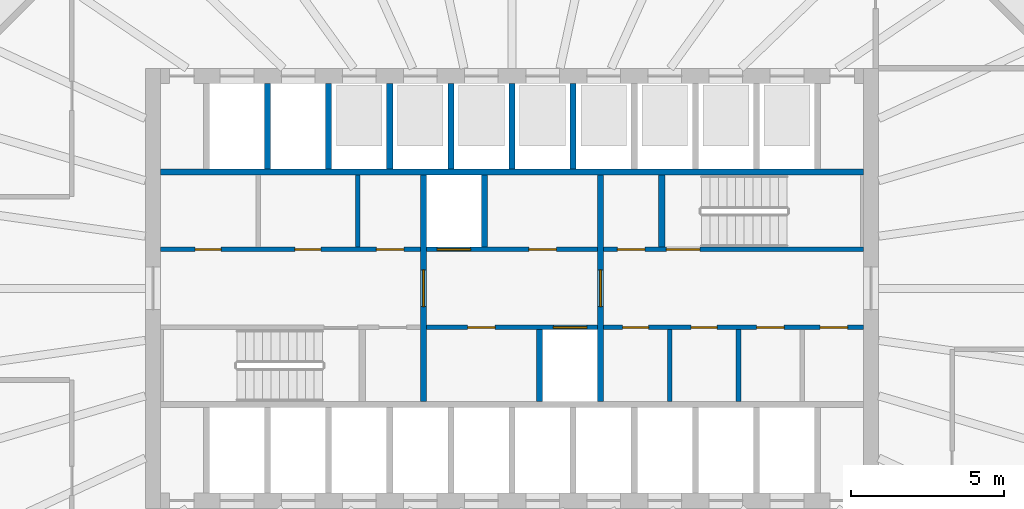
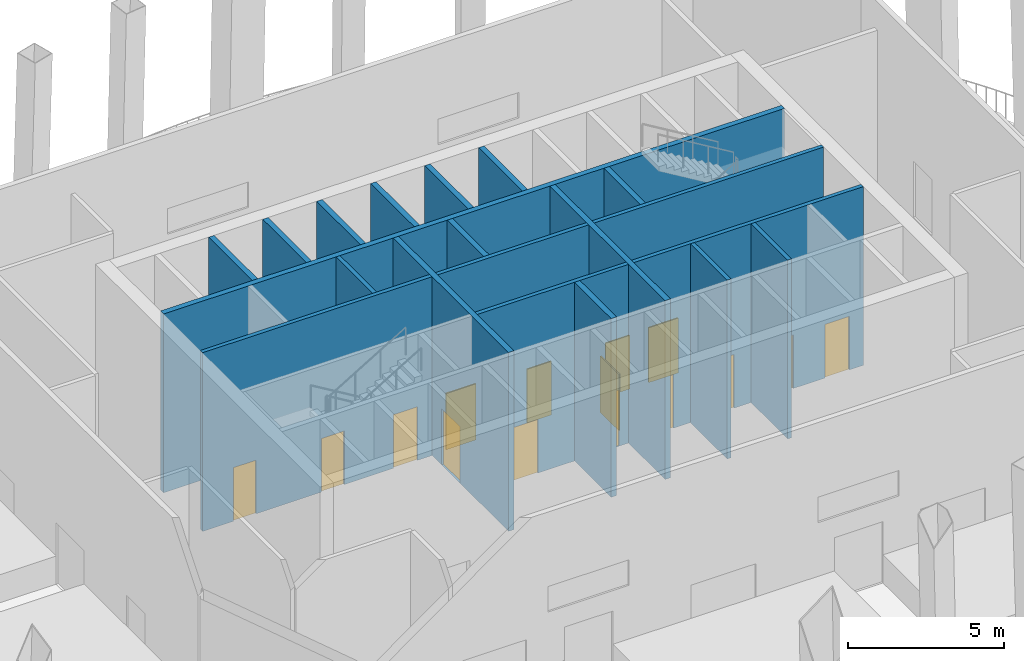
# One storey, part 5 of 15: 20 walls, 15 doors, 15 openings.
"""IFC4 building model written with IfcOpenShell, lengths in metres."""

from ifc_helpers import new_model, si_unit, direction, frame, frame_2d, origin, place, context, subcontext, project, spatial, rectangle, extrude, material, layer, layer_set, type_object, element, fill, save


model = new_model("IFC4")

# Units and contexts
model_context = context("Model", 3, precision=1e-05, world=origin(), true_north=direction((0.0, 1.0)))
body_context = subcontext(model_context, "Body", "Model", "MODEL_VIEW")
ifc_project = project(units=[si_unit("LENGTHUNIT", "METRE"), si_unit("AREAUNIT", "SQUARE_METRE"), si_unit("VOLUMEUNIT", "CUBIC_METRE"), si_unit("PLANEANGLEUNIT", "RADIAN"), si_unit("MASSUNIT", "GRAM", prefix="KILO")], contexts=[model_context])

# Site, building, storey
site_placement = place(None, origin())
site = spatial("IfcSite", under=ifc_project, at=site_placement, CompositionType="ELEMENT")
building_placement = place(site_placement, origin())
building = spatial("IfcBuilding", under=site, at=building_placement, Name="Siaravel Broadcast Tower", CompositionType="ELEMENT")
storey_placement = place(building_placement, frame((0.0, 0.0, 145.199951171875)))
storey = spatial("IfcBuildingStorey", under=building, at=storey_placement, Name="L35", CompositionType="ELEMENT", Elevation=145.199951171875)

# Walls
ifc_material_1 = material(Name="Concrete blockwork", Category="masonry")
ifc_layer_1 = layer(ifc_material_1, 0.14990234375)
ifc_layer_set_1 = layer_set([ifc_layer_1], Name="Concrete blockwork")
wall_type_1 = type_object("IfcWallType", Name="Core partition 150", PredefinedType="PARTITIONING", material=ifc_layer_set_1)
for number, where, z_axis, x_axis, name in (
    (1, (-5.04296875, 1.35009765625, 0.0), (0.0, 0.0, 1.0), (0.0, 1.0, 0.0), "L35 core partition PNW1"),
    (2, (5.16796875, -3.699951171875, 0.0), (0.0, 0.0, 1.0), (0.0, 1.0, 0.0), "L35 core partition PSE0"),
    (3, (7.410888671875, -3.699951171875, 0.0), (0.0, 0.0, 1.0), (0.0, 1.0, 0.0), "L35 core partition PSE1"),
):
    element("IfcWall", number, at=place(storey_placement, frame(where, z_axis=z_axis, x_axis=x_axis)), inside=storey, type_object=wall_type_1, Name=name, PredefinedType="PARTITIONING", context=body_context, shape_type="SweptSolid", body=[
        extrude(rectangle(XDim=2.349853515625, YDim=0.14990234375, at=frame_2d((1.1748046875, 0.0))), origin(), (0.0, 0.0, 1.0), 7.0),
    ])

# Wall, openings, doors
ifc_material_2 = material(Name="Gypsum board partition", Category="gypsum")
ifc_layer_2 = layer(ifc_material_2, 0.14990234375)
ifc_layer_set_2 = layer_set([ifc_layer_2], Name="Gypsum board partition")
wall_type_2 = type_object("IfcWallType", Name="Corridor wall 150", PredefinedType="PARTITIONING", material=ifc_layer_set_2)
wall_1_placement = place(storey_placement, frame((3.0, -1.27490234375, 0.0), z_axis=(0.0, 0.0, 1.0), x_axis=(1.0, 0.0, 0.0)))
wall_1 = element("IfcWall", 4, at=wall_1_placement, inside=storey, type_object=wall_type_2, Name="L35 core partition CSE", PredefinedType="PARTITIONING", context=body_context, shape_type="SweptSolid", body=[
    extrude(rectangle(XDim=8.5, YDim=0.14990234375, at=frame_2d((4.25, 0.0))), origin(), (0.0, 0.0, 1.0), 7.0),
])
opening_1_placement = place(wall_1_placement, frame((0.62158203125, 0.0, 0.0)))
opening_1 = element("IfcOpeningElement", 5, at=opening_1_placement, cuts=wall_1, Name="Opening L35-DSE0", PredefinedType="OPENING", context=body_context, shape_type="SweptSolid", body=[
    extrude(rectangle(XDim=0.85009765625, YDim=2.10009765625, at=frame_2d((0.425048828125, 1.050048828125))), frame((0.0, 0.0849609375, 0.0), z_axis=(0.0, -1.0, 0.0), x_axis=(1.0, 0.0, 0.0)), (0.0, 0.0, 1.0), 0.169921875),
])
opening_2_placement = place(wall_1_placement, frame((2.864501953125, 0.0, 0.0)))
opening_2 = element("IfcOpeningElement", 6, at=opening_2_placement, cuts=wall_1, Name="Opening L35-DSE1", PredefinedType="OPENING", context=body_context, shape_type="SweptSolid", body=[
    extrude(rectangle(XDim=0.85009765625, YDim=2.10009765625, at=frame_2d((0.425048828125, 1.050048828125))), frame((0.0, 0.0849609375, 0.0), z_axis=(0.0, -1.0, 0.0), x_axis=(1.0, 0.0, 0.0)), (0.0, 0.0, 1.0), 0.169921875),
])
opening_3_placement = place(wall_1_placement, frame((5.001953125, 0.0, 0.0)))
opening_3 = element("IfcOpeningElement", 7, at=opening_3_placement, cuts=wall_1, Name="Opening L35-DSE2", PredefinedType="OPENING", context=body_context, shape_type="SweptSolid", body=[
    extrude(rectangle(XDim=0.89990234375, YDim=2.10009765625, at=frame_2d((0.449951171875, 1.050048828125))), frame((0.0, 0.0849609375, 0.0), z_axis=(0.0, -1.0, 0.0), x_axis=(1.0, 0.0, 0.0)), (0.0, 0.0, 1.0), 0.169921875),
])
opening_4_placement = place(wall_1_placement, frame((7.083984375, 0.0, 0.0)))
opening_4 = element("IfcOpeningElement", 8, at=opening_4_placement, cuts=wall_1, Name="Opening L35-DSE3", PredefinedType="OPENING", context=body_context, shape_type="SweptSolid", body=[
    extrude(rectangle(XDim=0.89990234375, YDim=2.10009765625, at=frame_2d((0.449951171875, 1.050048828125))), frame((0.0, 0.0849609375, 0.0), z_axis=(0.0, -1.0, 0.0), x_axis=(1.0, 0.0, 0.0)), (0.0, 0.0, 1.0), 0.169921875),
])
ifc_material_3 = material(Name="Timber veneer", Category="wood")
door_type_1 = type_object("IfcDoorType", Name="Core room door 900", OperationType="SINGLE_SWING_LEFT", PredefinedType="DOOR", material=ifc_material_3)
door_1_placement = place(opening_3_placement, origin())
door_1 = element("IfcDoor", 9, at=door_1_placement, inside=storey, type_object=door_type_1, Name="L35 door DSE2", OperationType="SINGLE_SWING_LEFT", OverallHeight=2.10009765625, OverallWidth=0.89990234375, PredefinedType="DOOR", context=body_context, shape_type="SweptSolid", body=[
    extrude(rectangle(XDim=0.89990234375, YDim=2.10009765625, at=frame_2d((0.449951171875, 1.050048828125))), frame((0.0, 0.02490234375, 0.0), z_axis=(0.0, -1.0, 0.0), x_axis=(1.0, 0.0, 0.0)), (0.0, 0.0, 1.0), 0.050048828125),
])
fill(opening_3, door_1)
door_2_placement = place(opening_4_placement, origin())
door_2 = element("IfcDoor", 10, at=door_2_placement, inside=storey, type_object=door_type_1, Name="L35 door DSE3", OperationType="SINGLE_SWING_LEFT", OverallHeight=2.10009765625, OverallWidth=0.89990234375, PredefinedType="DOOR", context=body_context, shape_type="SweptSolid", body=[
    extrude(rectangle(XDim=0.89990234375, YDim=2.10009765625, at=frame_2d((0.449951171875, 1.050048828125))), frame((0.0, 0.02490234375, 0.0), z_axis=(0.0, -1.0, 0.0), x_axis=(1.0, 0.0, 0.0)), (0.0, 0.0, 1.0), 0.050048828125),
])
fill(opening_4, door_2)
door_type_2 = type_object("IfcDoorType", Name="Core toilet door 850", OperationType="SINGLE_SWING_LEFT", PredefinedType="DOOR", material=ifc_material_3)
door_3_placement = place(opening_1_placement, origin())
door_3 = element("IfcDoor", 11, at=door_3_placement, inside=storey, type_object=door_type_2, Name="L35 door DSE0", OperationType="SINGLE_SWING_LEFT", OverallHeight=2.10009765625, OverallWidth=0.85009765625, PredefinedType="DOOR", context=body_context, shape_type="SweptSolid", body=[
    extrude(rectangle(XDim=0.85009765625, YDim=2.10009765625, at=frame_2d((0.425048828125, 1.050048828125))), frame((0.0, 0.02490234375, 0.0), z_axis=(0.0, -1.0, 0.0), x_axis=(1.0, 0.0, 0.0)), (0.0, 0.0, 1.0), 0.050048828125),
])
fill(opening_1, door_3)
door_4_placement = place(opening_2_placement, origin())
door_4 = element("IfcDoor", 12, at=door_4_placement, inside=storey, type_object=door_type_2, Name="L35 door DSE1", OperationType="SINGLE_SWING_LEFT", OverallHeight=2.10009765625, OverallWidth=0.85009765625, PredefinedType="DOOR", context=body_context, shape_type="SweptSolid", body=[
    extrude(rectangle(XDim=0.85009765625, YDim=2.10009765625, at=frame_2d((0.425048828125, 1.050048828125))), frame((0.0, 0.02490234375, 0.0), z_axis=(0.0, -1.0, 0.0), x_axis=(1.0, 0.0, 0.0)), (0.0, 0.0, 1.0), 0.050048828125),
])
fill(opening_2, door_4)

wall_2_placement = place(storey_placement, frame((-11.5, 1.27490234375, 0.0), z_axis=(0.0, 0.0, 1.0), x_axis=(1.0, 0.0, 0.0)))
wall_2 = element("IfcWall", 13, at=wall_2_placement, inside=storey, type_object=wall_type_2, Name="L35 core partition CNW", PredefinedType="PARTITIONING", context=body_context, shape_type="SweptSolid", body=[
    extrude(rectangle(XDim=8.5, YDim=0.14990234375, at=frame_2d((4.25, 0.0))), origin(), (0.0, 0.0, 1.0), 7.0),
])
opening_5_placement = place(wall_2_placement, frame((1.133056640625, 0.0, 0.0)))
opening_5 = element("IfcOpeningElement", 14, at=opening_5_placement, cuts=wall_2, Name="Opening L35-DNW0", PredefinedType="OPENING", context=body_context, shape_type="SweptSolid", body=[
    extrude(rectangle(XDim=0.85009765625, YDim=2.10009765625, at=frame_2d((0.425048828125, 1.050048828125))), frame((0.0, 0.0849609375, 0.0), z_axis=(0.0, -1.0, 0.0), x_axis=(1.0, 0.0, 0.0)), (0.0, 0.0, 1.0), 0.169921875),
])
opening_6_placement = place(wall_2_placement, frame((4.39892578125, 0.0, 0.0)))
opening_6 = element("IfcOpeningElement", 15, at=opening_6_placement, cuts=wall_2, Name="Opening L35-DNW1", PredefinedType="OPENING", context=body_context, shape_type="SweptSolid", body=[
    extrude(rectangle(XDim=0.85009765625, YDim=2.10009765625, at=frame_2d((0.425048828125, 1.050048828125))), frame((0.0, 0.0849609375, 0.0), z_axis=(0.0, -1.0, 0.0), x_axis=(1.0, 0.0, 0.0)), (0.0, 0.0, 1.0), 0.169921875),
])
opening_7_placement = place(wall_2_placement, frame((7.06591796875, 0.0, 0.0)))
opening_7 = element("IfcOpeningElement", 16, at=opening_7_placement, cuts=wall_2, Name="Opening L35-DNW2", PredefinedType="OPENING", context=body_context, shape_type="SweptSolid", body=[
    extrude(rectangle(XDim=0.89990234375, YDim=2.10009765625, at=frame_2d((0.449951171875, 1.050048828125))), frame((0.0, 0.0849609375, 0.0), z_axis=(0.0, -1.0, 0.0), x_axis=(1.0, 0.0, 0.0)), (0.0, 0.0, 1.0), 0.169921875),
])
door_5_placement = place(opening_7_placement, origin())
door_5 = element("IfcDoor", 17, at=door_5_placement, inside=storey, type_object=door_type_1, Name="L35 door DNW2", OperationType="SINGLE_SWING_LEFT", OverallHeight=2.10009765625, OverallWidth=0.89990234375, PredefinedType="DOOR", context=body_context, shape_type="SweptSolid", body=[
    extrude(rectangle(XDim=0.89990234375, YDim=2.10009765625, at=frame_2d((0.449951171875, 1.050048828125))), frame((0.0, 0.02490234375, 0.0), z_axis=(0.0, -1.0, 0.0), x_axis=(1.0, 0.0, 0.0)), (0.0, 0.0, 1.0), 0.050048828125),
])
fill(opening_7, door_5)
door_6_placement = place(opening_5_placement, origin())
door_6 = element("IfcDoor", 18, at=door_6_placement, inside=storey, type_object=door_type_2, Name="L35 door DNW0", OperationType="SINGLE_SWING_LEFT", OverallHeight=2.10009765625, OverallWidth=0.85009765625, PredefinedType="DOOR", context=body_context, shape_type="SweptSolid", body=[
    extrude(rectangle(XDim=0.85009765625, YDim=2.10009765625, at=frame_2d((0.425048828125, 1.050048828125))), frame((0.0, 0.02490234375, 0.0), z_axis=(0.0, -1.0, 0.0), x_axis=(1.0, 0.0, 0.0)), (0.0, 0.0, 1.0), 0.050048828125),
])
fill(opening_5, door_6)
door_7_placement = place(opening_6_placement, origin())
door_7 = element("IfcDoor", 19, at=door_7_placement, inside=storey, type_object=door_type_2, Name="L35 door DNW1", OperationType="SINGLE_SWING_LEFT", OverallHeight=2.10009765625, OverallWidth=0.85009765625, PredefinedType="DOOR", context=body_context, shape_type="SweptSolid", body=[
    extrude(rectangle(XDim=0.85009765625, YDim=2.10009765625, at=frame_2d((0.425048828125, 1.050048828125))), frame((0.0, 0.02490234375, 0.0), z_axis=(0.0, -1.0, 0.0), x_axis=(1.0, 0.0, 0.0)), (0.0, 0.0, 1.0), 0.050048828125),
])
fill(opening_6, door_7)

ifc_material_4 = material(Name="Concrete C60/75", Category="concrete")
ifc_layer_3 = layer(ifc_material_4, 0.14990234375)
ifc_layer_set_3 = layer_set([ifc_layer_3], Name="Concrete C60/75")
wall_type_3 = type_object("IfcWallType", Name="Shaft wall 150", PredefinedType="SHEAR", material=ifc_layer_set_3)
wall_3_placement = place(storey_placement, frame((-2.800048828125, -1.27490234375, 0.0), z_axis=(0.0, 0.0, 1.0), x_axis=(1.0, 0.0, 0.0)))
wall_3 = element("IfcWall", 20, at=wall_3_placement, inside=storey, type_object=wall_type_3, Name="L35 core wall CSM", PredefinedType="SHEAR", context=body_context, shape_type="SweptSolid", body=[
    extrude(rectangle(XDim=5.60009765625, YDim=0.14990234375, at=frame_2d((2.800048828125, 0.0))), origin(), (0.0, 0.0, 1.0), 7.0),
])
opening_8_placement = place(wall_3_placement, frame((4.14990234375, 0.0, 0.0)))
opening_8 = element("IfcOpeningElement", 21, at=opening_8_placement, cuts=wall_3, Name="Opening LD-FL2-L35", PredefinedType="OPENING", context=body_context, shape_type="SweptSolid", body=[
    extrude(rectangle(XDim=1.10009765625, YDim=2.199951171875, at=frame_2d((0.550048828125, 1.10009765625))), frame((0.0, 0.0849609375, 0.0), z_axis=(0.0, -1.0, 0.0), x_axis=(1.0, 0.0, 0.0)), (0.0, 0.0, 1.0), 0.169921875),
])
opening_9_placement = place(wall_3_placement, frame((1.35009765625, 0.0, 0.0)))
opening_9 = element("IfcOpeningElement", 22, at=opening_9_placement, cuts=wall_3, Name="Opening L35-DSM0", PredefinedType="OPENING", context=body_context, shape_type="SweptSolid", body=[
    extrude(rectangle(XDim=0.89990234375, YDim=2.10009765625, at=frame_2d((0.449951171875, 1.050048828125))), frame((0.0, 0.0849609375, 0.0), z_axis=(0.0, -1.0, 0.0), x_axis=(1.0, 0.0, 0.0)), (0.0, 0.0, 1.0), 0.169921875),
])
door_8_placement = place(opening_9_placement, origin())
door_8 = element("IfcDoor", 23, at=door_8_placement, inside=storey, type_object=door_type_1, Name="L35 door DSM0", OperationType="SINGLE_SWING_LEFT", OverallHeight=2.10009765625, OverallWidth=0.89990234375, PredefinedType="DOOR", context=body_context, shape_type="SweptSolid", body=[
    extrude(rectangle(XDim=0.89990234375, YDim=2.10009765625, at=frame_2d((0.449951171875, 1.050048828125))), frame((0.0, 0.02490234375, 0.0), z_axis=(0.0, -1.0, 0.0), x_axis=(1.0, 0.0, 0.0)), (0.0, 0.0, 1.0), 0.050048828125),
])
fill(opening_9, door_8)
ifc_material_5 = material(Name="Stainless steel 316L", Category="steel")
door_type_3 = type_object("IfcDoorType", Name="Firefighting lift landing door 1100", OperationType="DOUBLE_DOOR_SLIDING", PredefinedType="DOOR", material=ifc_material_5)
door_9_placement = place(opening_8_placement, origin())
door_9 = element("IfcDoor", 24, at=door_9_placement, inside=storey, type_object=door_type_3, Name="Landing door FL2 L35", OperationType="DOUBLE_DOOR_SLIDING", OverallHeight=2.199951171875, OverallWidth=1.10009765625, PredefinedType="DOOR", context=body_context, shape_type="SweptSolid", body=[
    extrude(rectangle(XDim=1.10009765625, YDim=2.199951171875, at=frame_2d((0.550048828125, 1.10009765625))), frame((0.0, 0.02490234375, 0.0), z_axis=(0.0, -1.0, 0.0), x_axis=(1.0, 0.0, 0.0)), (0.0, 0.0, 1.0), 0.050048828125),
])
fill(opening_8, door_9)

wall_4_placement = place(storey_placement, frame((-2.800048828125, 1.27490234375, 0.0), z_axis=(0.0, 0.0, 1.0), x_axis=(1.0, 0.0, 0.0)))
wall_4 = element("IfcWall", 25, at=wall_4_placement, inside=storey, type_object=wall_type_3, Name="L35 core wall CNM", PredefinedType="SHEAR", context=body_context, shape_type="SweptSolid", body=[
    extrude(rectangle(XDim=5.60009765625, YDim=0.14990234375, at=frame_2d((2.800048828125, 0.0))), origin(), (0.0, 0.0, 1.0), 7.0),
])
opening_10_placement = place(wall_4_placement, frame((0.35009765625, 0.0, 0.0)))
opening_10 = element("IfcOpeningElement", 26, at=opening_10_placement, cuts=wall_4, Name="Opening LD-FL1-L35", PredefinedType="OPENING", context=body_context, shape_type="SweptSolid", body=[
    extrude(rectangle(XDim=1.10009765625, YDim=2.199951171875, at=frame_2d((0.550048828125, 1.10009765625))), frame((0.0, 0.0849609375, 0.0), z_axis=(0.0, -1.0, 0.0), x_axis=(1.0, 0.0, 0.0)), (0.0, 0.0, 1.0), 0.169921875),
])
opening_11_placement = place(wall_4_placement, frame((3.35009765625, 0.0, 0.0)))
opening_11 = element("IfcOpeningElement", 27, at=opening_11_placement, cuts=wall_4, Name="Opening L35-DNM0", PredefinedType="OPENING", context=body_context, shape_type="SweptSolid", body=[
    extrude(rectangle(XDim=0.89990234375, YDim=2.10009765625, at=frame_2d((0.449951171875, 1.050048828125))), frame((0.0, 0.0849609375, 0.0), z_axis=(0.0, -1.0, 0.0), x_axis=(1.0, 0.0, 0.0)), (0.0, 0.0, 1.0), 0.169921875),
])
door_10_placement = place(opening_11_placement, origin())
door_10 = element("IfcDoor", 28, at=door_10_placement, inside=storey, type_object=door_type_1, Name="L35 door DNM0", OperationType="SINGLE_SWING_LEFT", OverallHeight=2.10009765625, OverallWidth=0.89990234375, PredefinedType="DOOR", context=body_context, shape_type="SweptSolid", body=[
    extrude(rectangle(XDim=0.89990234375, YDim=2.10009765625, at=frame_2d((0.449951171875, 1.050048828125))), frame((0.0, 0.02490234375, 0.0), z_axis=(0.0, -1.0, 0.0), x_axis=(1.0, 0.0, 0.0)), (0.0, 0.0, 1.0), 0.050048828125),
])
fill(opening_11, door_10)
door_11_placement = place(opening_10_placement, origin())
door_11 = element("IfcDoor", 29, at=door_11_placement, inside=storey, type_object=door_type_3, Name="Landing door FL1 L35", OperationType="DOUBLE_DOOR_SLIDING", OverallHeight=2.199951171875, OverallWidth=1.10009765625, PredefinedType="DOOR", context=body_context, shape_type="SweptSolid", body=[
    extrude(rectangle(XDim=1.10009765625, YDim=2.199951171875, at=frame_2d((0.550048828125, 1.10009765625))), frame((0.0, 0.02490234375, 0.0), z_axis=(0.0, -1.0, 0.0), x_axis=(1.0, 0.0, 0.0)), (0.0, 0.0, 1.0), 0.050048828125),
])
fill(opening_10, door_11)

wall_5_placement = place(storey_placement, frame((3.0, 1.27490234375, 0.0), z_axis=(0.0, 0.0, 1.0), x_axis=(1.0, 0.0, 0.0)))
wall_5 = element("IfcWall", 30, at=wall_5_placement, inside=storey, type_object=wall_type_3, Name="L35 core wall CNE", PredefinedType="SHEAR", context=body_context, shape_type="SweptSolid", body=[
    extrude(rectangle(XDim=8.5, YDim=0.14990234375, at=frame_2d((4.25, 0.0))), origin(), (0.0, 0.0, 1.0), 7.0),
])
opening_12_placement = place(wall_5_placement, frame((2.050048828125, 0.0, 0.0)))
opening_12 = element("IfcOpeningElement", 31, at=opening_12_placement, cuts=wall_5, Name="Opening L35-DS-2", PredefinedType="OPENING", context=body_context, shape_type="SweptSolid", body=[
    extrude(rectangle(XDim=1.10009765625, YDim=2.14990234375, at=frame_2d((0.550048828125, 1.074951171875))), frame((0.0, 0.0849609375, 0.0), z_axis=(0.0, -1.0, 0.0), x_axis=(1.0, 0.0, 0.0)), (0.0, 0.0, 1.0), 0.169921875),
])
opening_13_placement = place(wall_5_placement, frame((0.449951171875, 0.0, 0.0)))
opening_13 = element("IfcOpeningElement", 32, at=opening_13_placement, cuts=wall_5, Name="Opening L35-DNE0", PredefinedType="OPENING", context=body_context, shape_type="SweptSolid", body=[
    extrude(rectangle(XDim=0.89990234375, YDim=2.10009765625, at=frame_2d((0.449951171875, 1.050048828125))), frame((0.0, 0.0849609375, 0.0), z_axis=(0.0, -1.0, 0.0), x_axis=(1.0, 0.0, 0.0)), (0.0, 0.0, 1.0), 0.169921875),
])
door_12_placement = place(opening_13_placement, origin())
door_12 = element("IfcDoor", 33, at=door_12_placement, inside=storey, type_object=door_type_1, Name="L35 door DNE0", OperationType="SINGLE_SWING_LEFT", OverallHeight=2.10009765625, OverallWidth=0.89990234375, PredefinedType="DOOR", context=body_context, shape_type="SweptSolid", body=[
    extrude(rectangle(XDim=0.89990234375, YDim=2.10009765625, at=frame_2d((0.449951171875, 1.050048828125))), frame((0.0, 0.02490234375, 0.0), z_axis=(0.0, -1.0, 0.0), x_axis=(1.0, 0.0, 0.0)), (0.0, 0.0, 1.0), 0.050048828125),
])
fill(opening_13, door_12)
ifc_material_6 = material(Name="Steel", Category="steel")
door_type_4 = type_object("IfcDoorType", Name="Stair door 1100", OperationType="SINGLE_SWING_LEFT", PredefinedType="DOOR", material=ifc_material_6)
door_13_placement = place(opening_12_placement, origin())
door_13 = element("IfcDoor", 34, at=door_13_placement, inside=storey, type_object=door_type_4, Name="L35 door DS-2", OperationType="SINGLE_SWING_LEFT", OverallHeight=2.14990234375, OverallWidth=1.10009765625, PredefinedType="DOOR", context=body_context, shape_type="SweptSolid", body=[
    extrude(rectangle(XDim=1.10009765625, YDim=2.14990234375, at=frame_2d((0.550048828125, 1.074951171875))), frame((0.0, 0.02490234375, 0.0), z_axis=(0.0, -1.0, 0.0), x_axis=(1.0, 0.0, 0.0)), (0.0, 0.0, 1.0), 0.050048828125),
])
fill(opening_12, door_13)

# Walls
ifc_layer_4 = layer(ifc_material_4, 0.199951171875)
ifc_layer_set_4 = layer_set([ifc_layer_4], Name="Concrete C60/75")
wall_type_4 = type_object("IfcWallType", Name="Shaft wall 200", PredefinedType="SHEAR", material=ifc_layer_set_4)
wall_6_placement = place(storey_placement, frame((-11.5, 3.800048828125, 0.0), z_axis=(0.0, 0.0, 1.0), x_axis=(1.0, 0.0, 0.0)))
element("IfcWall", 35, at=wall_6_placement, inside=storey, type_object=wall_type_4, Name="L35 core wall BN", PredefinedType="SHEAR", context=body_context, shape_type="SweptSolid", body=[
    extrude(rectangle(XDim=23.0, YDim=0.199951171875, at=frame_2d((11.5, 0.0))), origin(), (0.0, 0.0, 1.0), 7.0),
])
for number, where, z_axis, x_axis, name in (
    (36, (-8.0, 3.89990234375, 0.0), (0.0, 0.0, 1.0), (0.0, 1.0, 0.0), "L35 core wall SWN1"),
    (37, (-6.0, 3.89990234375, 0.0), (0.0, 0.0, 1.0), (0.0, 1.0, 0.0), "L35 core wall SWN2"),
    (38, (-4.0, 3.89990234375, 0.0), (0.0, 0.0, 1.0), (0.0, 1.0, 0.0), "L35 core wall SWN3"),
    (39, (-2.0, 3.89990234375, 0.0), (0.0, 0.0, 1.0), (0.0, 1.0, 0.0), "L35 core wall SWN4"),
    (40, (0.0, 3.89990234375, 0.0), (0.0, 0.0, 1.0), (0.0, 1.0, 0.0), "L35 core wall SWN5"),
    (41, (2.0, 3.89990234375, 0.0), (0.0, 0.0, 1.0), (0.0, 1.0, 0.0), "L35 core wall SWN6"),
):
    element("IfcWall", number, at=place(storey_placement, frame(where, z_axis=z_axis, x_axis=x_axis)), inside=storey, type_object=wall_type_4, Name=name, PredefinedType="SHEAR", context=body_context, shape_type="SweptSolid", body=[
        extrude(rectangle(XDim=2.800048828125, YDim=0.199951171875, at=frame_2d((1.39990234375, 0.0))), origin(), (0.0, 0.0, 1.0), 7.0),
    ])

# Wall, opening, door
wall_7_placement = place(storey_placement, frame((-2.89990234375, -3.699951171875, 0.0), z_axis=(0.0, 0.0, 1.0), x_axis=(0.0, 1.0, 0.0)))
wall_7 = element("IfcWall", 42, at=wall_7_placement, inside=storey, type_object=wall_type_4, Name="L35 core wall LW", PredefinedType="SHEAR", context=body_context, shape_type="SweptSolid", body=[
    extrude(rectangle(XDim=7.39990234375, YDim=0.199951171875, at=frame_2d((3.699951171875, 0.0))), origin(), (0.0, 0.0, 1.0), 7.0),
])
opening_14_placement = place(wall_7_placement, frame((3.10009765625, 0.0, 0.0)))
opening_14 = element("IfcOpeningElement", 43, at=opening_14_placement, cuts=wall_7, Name="Opening L35-DL-W", PredefinedType="OPENING", context=body_context, shape_type="SweptSolid", body=[
    extrude(rectangle(XDim=1.199951171875, YDim=2.199951171875, at=frame_2d((0.60009765625, 1.10009765625))), frame((0.0, 0.10986328125, 0.0), z_axis=(0.0, -1.0, 0.0), x_axis=(1.0, 0.0, 0.0)), (0.0, 0.0, 1.0), 0.219970703125),
])
door_type_5 = type_object("IfcDoorType", Name="Firefighting lobby door 1200", OperationType="SINGLE_SWING_LEFT", PredefinedType="DOOR", material=ifc_material_6)
door_14_placement = place(opening_14_placement, origin())
door_14 = element("IfcDoor", 44, at=door_14_placement, inside=storey, type_object=door_type_5, Name="L35 door DL-W", OperationType="SINGLE_SWING_LEFT", OverallHeight=2.199951171875, OverallWidth=1.199951171875, PredefinedType="DOOR", context=body_context, shape_type="SweptSolid", body=[
    extrude(rectangle(XDim=1.199951171875, YDim=2.199951171875, at=frame_2d((0.60009765625, 1.10009765625))), frame((0.0, 0.02490234375, 0.0), z_axis=(0.0, -1.0, 0.0), x_axis=(1.0, 0.0, 0.0)), (0.0, 0.0, 1.0), 0.050048828125),
])
fill(opening_14, door_14)

wall_8_placement = place(storey_placement, frame((2.89990234375, -3.699951171875, 0.0), z_axis=(0.0, 0.0, 1.0), x_axis=(0.0, 1.0, 0.0)))
wall_8 = element("IfcWall", 45, at=wall_8_placement, inside=storey, type_object=wall_type_4, Name="L35 core wall LE", PredefinedType="SHEAR", context=body_context, shape_type="SweptSolid", body=[
    extrude(rectangle(XDim=7.39990234375, YDim=0.199951171875, at=frame_2d((3.699951171875, 0.0))), origin(), (0.0, 0.0, 1.0), 7.0),
])
opening_15_placement = place(wall_8_placement, frame((3.10009765625, 0.0, 0.0)))
opening_15 = element("IfcOpeningElement", 46, at=opening_15_placement, cuts=wall_8, Name="Opening L35-DL-E", PredefinedType="OPENING", context=body_context, shape_type="SweptSolid", body=[
    extrude(rectangle(XDim=1.199951171875, YDim=2.199951171875, at=frame_2d((0.60009765625, 1.10009765625))), frame((0.0, 0.10986328125, 0.0), z_axis=(0.0, -1.0, 0.0), x_axis=(1.0, 0.0, 0.0)), (0.0, 0.0, 1.0), 0.219970703125),
])
door_15_placement = place(opening_15_placement, origin())
door_15 = element("IfcDoor", 47, at=door_15_placement, inside=storey, type_object=door_type_5, Name="L35 door DL-E", OperationType="SINGLE_SWING_LEFT", OverallHeight=2.199951171875, OverallWidth=1.199951171875, PredefinedType="DOOR", context=body_context, shape_type="SweptSolid", body=[
    extrude(rectangle(XDim=1.199951171875, YDim=2.199951171875, at=frame_2d((0.60009765625, 1.10009765625))), frame((0.0, 0.02490234375, 0.0), z_axis=(0.0, -1.0, 0.0), x_axis=(1.0, 0.0, 0.0)), (0.0, 0.0, 1.0), 0.050048828125),
])
fill(opening_15, door_15)

# Walls
for number, where, z_axis, x_axis, name in (
    (48, (-0.89990234375, 1.35009765625, 0.0), (0.0, 0.0, 1.0), (0.0, 1.0, 0.0), "L35 core wall FF1E"),
    (49, (0.89990234375, -3.699951171875, 0.0), (0.0, 0.0, 1.0), (0.0, 1.0, 0.0), "L35 core wall FF2W"),
    (50, (4.89990234375, 1.35009765625, 0.0), (0.0, 0.0, 1.0), (0.0, 1.0, 0.0), "L35 core wall ST2W"),
):
    element("IfcWall", number, at=place(storey_placement, frame(where, z_axis=z_axis, x_axis=x_axis)), inside=storey, type_object=wall_type_4, Name=name, PredefinedType="SHEAR", context=body_context, shape_type="SweptSolid", body=[
        extrude(rectangle(XDim=2.349853515625, YDim=0.199951171875, at=frame_2d((1.1748046875, 0.0))), origin(), (0.0, 0.0, 1.0), 7.0),
    ])

save(model, "model.ifc")
